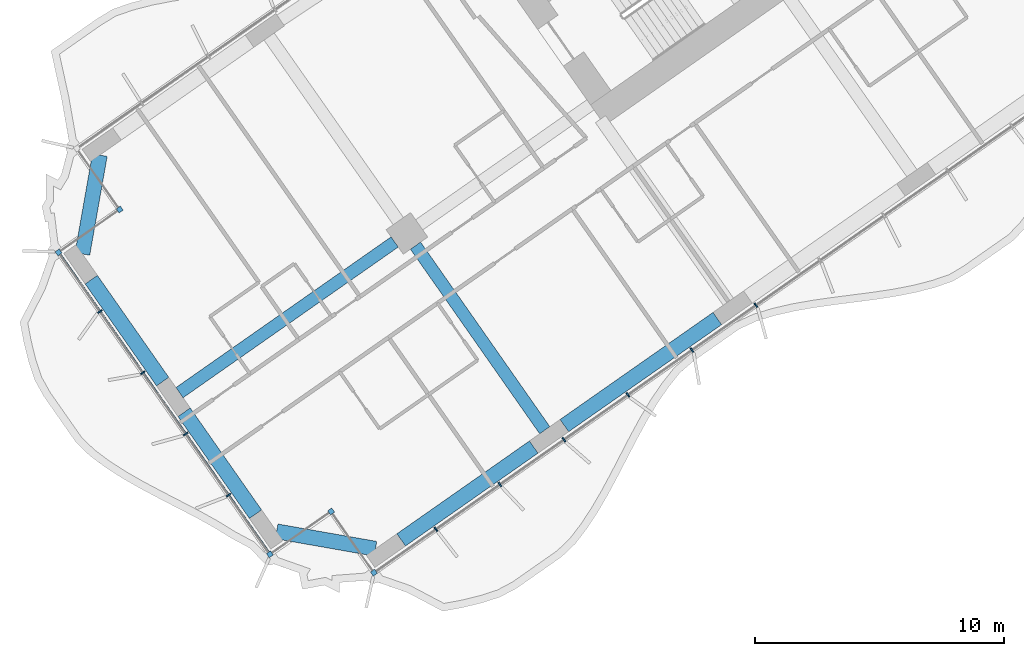
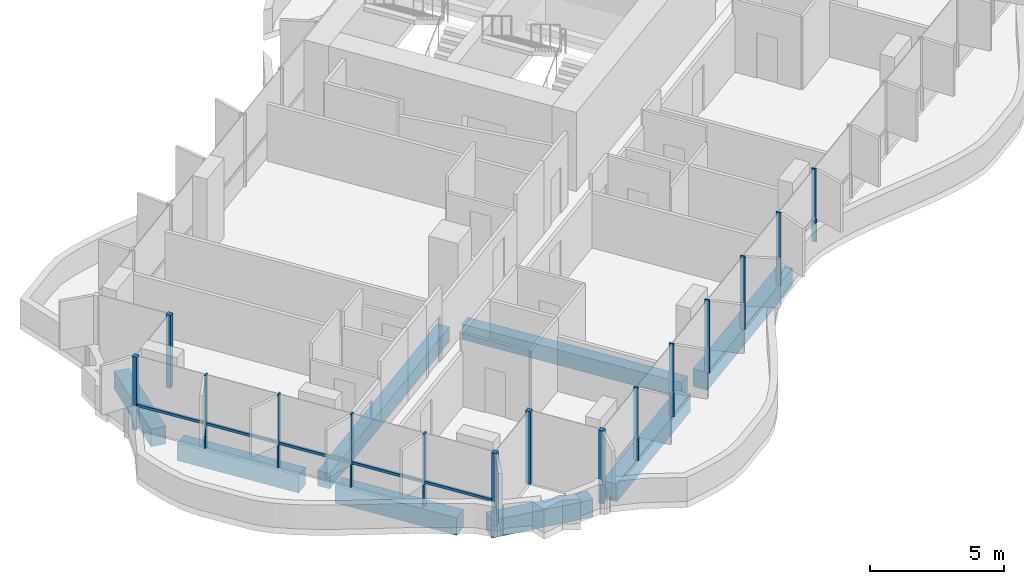
# One storey, part 2 of 23: 16 members, 8 beams, 1 element without a shape of its own.
"""IFC4 building model written with IfcOpenShell, lengths in metres."""

from ifc_helpers import new_model, si_unit, direction, frame, origin, origin_2d, place, context, subcontext, project, spatial, rectangle, extrude, material, material_profile, profile_set, type_object, element, aggregate, save


model = new_model("IFC4")

# Units and contexts
model_context = context("Model", 3, precision=1e-05, world=origin(), true_north=direction((0.0, 1.0)))
body_context = subcontext(model_context, "Body", "Model", "MODEL_VIEW")
ifc_project = project(units=[si_unit("LENGTHUNIT", "METRE"), si_unit("AREAUNIT", "SQUARE_METRE"), si_unit("VOLUMEUNIT", "CUBIC_METRE"), si_unit("PLANEANGLEUNIT", "RADIAN"), si_unit("MASSUNIT", "GRAM", prefix="KILO")], contexts=[model_context])

# Site, building, storey
site_placement = place(None, origin())
site = spatial("IfcSite", under=ifc_project, at=site_placement, CompositionType="ELEMENT")
building_placement = place(site_placement, origin())
building = spatial("IfcBuilding", under=site, at=building_placement, Name="Tel Ilan Convention Tower", CompositionType="ELEMENT")
storey_placement = place(building_placement, frame((0.0, 0.0, 86.89990234375)))
storey = spatial("IfcBuildingStorey", under=building, at=storey_placement, Name="L17", CompositionType="ELEMENT", Elevation=86.89990234375)

# Beams
ifc_material_1 = material(Name="Concrete C40/50", Category="concrete")
ifc_material_profile_1 = material_profile(ifc_material_1, rectangle(XDim=0.5, YDim=0.699951171875, at=origin_2d()), Name="RC 500x700")
ifc_profile_set_1 = profile_set([ifc_material_profile_1], Name="Concrete C40/50")
beam_type_1 = type_object("IfcBeamType", Name="Beam RC 500x700 Concrete C40/50", PredefinedType="BEAM", material=ifc_profile_set_1)
beam_1_placement = place(storey_placement, frame((-29.98095703125, -20.992919921875, -0.6298828125), z_axis=(-0.819151461915, -0.573577268067, 0.0), x_axis=(0.573577268067, -0.819151461915, 0.0)))
element("IfcBeam", 1, at=beam_1_placement, inside=storey, type_object=beam_type_1, Name="L17 beam W-W-M4-end", PredefinedType="BEAM", context=body_context, shape_type="SweptSolid", body=[
    extrude(rectangle(XDim=0.5, YDim=0.699951171875, at=origin_2d()), origin(), (0.0, 0.0, 1.0), 10.550048828125),
])
beam_2_placement = place(storey_placement, frame((-29.145263671875, -21.14013671875, -0.6298828125), z_axis=(0.573549245583, -0.819171082798, 0.0), x_axis=(0.819171082798, 0.573549245583, 0.0)))
element("IfcBeam", 2, at=beam_2_placement, inside=storey, type_object=beam_type_1, Name="L17 beam W-W-M4-W-F4", PredefinedType="BEAM", context=body_context, shape_type="SweptSolid", body=[
    extrude(rectangle(XDim=0.5, YDim=0.699951171875, at=origin_2d()), origin(), (0.0, 0.0, 1.0), 9.050048828125),
])
ifc_material_2 = material(Name="Concrete C40/50", Category="concrete")
ifc_material_profile_2 = material_profile(ifc_material_2, rectangle(XDim=0.60009765625, YDim=0.800048828125, at=origin_2d()), Name="RC 600x800")
ifc_profile_set_2 = profile_set([ifc_material_profile_2], Name="Concrete C40/50")
beam_type_2 = type_object("IfcBeamType", Name="Beam RC 600x800 Concrete C40/50", PredefinedType="BEAM", material=ifc_profile_set_2)
beam_3_placement = place(storey_placement, frame((-17.0244140625, -24.0673828125, -0.679931640625), z_axis=(-0.81915238829, -0.573575945067, 0.0), x_axis=(0.573575945067, -0.81915238829, 0.0)))
element("IfcBeam", 3, at=beam_3_placement, inside=storey, type_object=beam_type_2, Name="L17 beam W-W-F3-W-F4", PredefinedType="BEAM", context=body_context, shape_type="SweptSolid", body=[
    extrude(rectangle(XDim=0.60009765625, YDim=0.800048828125, at=origin_2d()), origin(), (0.0, 0.0, 1.0), 7.5),
])
beam_4_placement = place(storey_placement, frame((-24.396728515625, -29.2294921875, -0.679931640625), z_axis=(-0.819148977158, -0.573580816643, 0.0), x_axis=(0.573580816643, -0.819148977158, 0.0)))
element("IfcBeam", 4, at=beam_4_placement, inside=storey, type_object=beam_type_2, Name="L17 beam W-W-F4-W-FC", PredefinedType="BEAM", context=body_context, shape_type="SweptSolid", body=[
    extrude(rectangle(XDim=0.60009765625, YDim=0.800048828125, at=origin_2d()), origin(), (0.0, 0.0, 1.0), 6.5),
])
beam_5_placement = place(storey_placement, frame((-30.75341796875, -33.314208984375, -0.679931640625), z_axis=(-0.984815252405, 0.173605641124, 0.0), x_axis=(-0.173605641124, -0.984815252405, 0.0)))
element("IfcBeam", 5, at=beam_5_placement, inside=storey, type_object=beam_type_2, Name="L17 beam W-W-FC-W-E1", PredefinedType="BEAM", context=body_context, shape_type="SweptSolid", body=[
    extrude(rectangle(XDim=0.60009765625, YDim=0.800048828125, at=origin_2d()), origin(), (0.0, 0.0, 1.0), 4.030517578125),
])
for number, where, z_axis, x_axis, name in (
    (6, (-35.57080078125, -31.92626953125, -0.679931640625), (-0.573586866468, 0.819144740944, 0.0), (-0.819144740944, -0.573586866468, 0.0), "L17 beam W-W-E1-W-E2"),
    (7, (-39.298828125, -26.601806640625, -0.679931640625), (-0.573586866468, 0.819144740944, 0.0), (-0.819144740944, -0.573586866468, 0.0), "L17 beam W-W-E2-W-E3"),
):
    element("IfcBeam", number, at=place(storey_placement, frame(where, z_axis=z_axis, x_axis=x_axis)), inside=storey, type_object=beam_type_2, Name=name, PredefinedType="BEAM", context=body_context, shape_type="SweptSolid", body=[
        extrude(rectangle(XDim=0.60009765625, YDim=0.800048828125, at=origin_2d()), origin(), (0.0, 0.0, 1.0), 5.0),
    ])
beam_6_placement = place(storey_placement, frame((-42.523193359375, -21.473876953125, -0.679931640625), z_axis=(0.173605641124, 0.984815252405, 0.0), x_axis=(-0.984815252405, 0.173605641124, 0.0)))
element("IfcBeam", 8, at=beam_6_placement, inside=storey, type_object=beam_type_2, Name="L17 beam W-W-E3-W-BC", PredefinedType="BEAM", context=body_context, shape_type="SweptSolid", body=[
    extrude(rectangle(XDim=0.60009765625, YDim=0.800048828125, at=origin_2d()), origin(), (0.0, 0.0, 1.0), 4.030517578125),
])

# Curtain wall, members
ifc_material_3 = material(Name="Aluminium, bronze anodised", Category="aluminium")
curtain_wall_type = type_object("IfcCurtainWallType", Name="CW1 UNITISED CURTAIN WALL, HOTEL TINTED GLASS", PredefinedType="NOTDEFINED", material=ifc_material_3)
curtain_wall_placement = place(storey_placement, origin())
curtain_wall = element("IfcCurtainWall", 9, at=curtain_wall_placement, inside=storey, type_object=curtain_wall_type, Name="Curtain wall CW1-15.02", PredefinedType="NOTDEFINED")
ifc_material_4 = material(Name="Aluminium, bronze anodised", Category="aluminium")
ifc_material_profile_3 = material_profile(ifc_material_4, rectangle(XDim=0.199951171875, YDim=0.199951171875, at=origin_2d()), Name="CW CORNER MULLION 200x200")
ifc_profile_set_3 = profile_set([ifc_material_profile_3], Name="Aluminium, bronze anodised")
member_type_1 = type_object("IfcMemberType", Name="CW CORNER MULLION 200x200", PredefinedType="MULLION", material=ifc_profile_set_3)
member_1_placement = place(storey_placement, frame((-41.0244140625, -19.69189453125, 0.0), z_axis=(0.0, 0.0, 1.0), x_axis=(0.573576436351, -0.819152044289, 0.0)))
member_1 = element("IfcMember", 10, at=member_1_placement, type_object=member_type_1, Name="Corner mullion", PredefinedType="MULLION", context=body_context, shape_type="SweptSolid", body=[
    extrude(rectangle(XDim=0.199951171875, YDim=0.199951171875, at=origin_2d()), origin(), (0.0, 0.0, 1.0), 3.320068359375),
])
member_2_placement = place(storey_placement, frame((-43.48193359375, -21.41259765625, 0.0), z_axis=(0.0, 0.0, 1.0), x_axis=(-0.819152044289, -0.573576436351, 0.0)))
member_2 = element("IfcMember", 11, at=member_2_placement, type_object=member_type_1, Name="Corner mullion", PredefinedType="MULLION", context=body_context, shape_type="SweptSolid", body=[
    extrude(rectangle(XDim=0.199951171875, YDim=0.199951171875, at=origin_2d()), origin(), (0.0, 0.0, 1.0), 3.320068359375),
])
member_3_placement = place(storey_placement, frame((-34.992919921875, -33.5361328125, 0.0), z_axis=(0.0, 0.0, 1.0), x_axis=(0.573576436351, -0.819152044289, 0.0)))
member_3 = element("IfcMember", 12, at=member_3_placement, type_object=member_type_1, Name="Corner mullion", PredefinedType="MULLION", context=body_context, shape_type="SweptSolid", body=[
    extrude(rectangle(XDim=0.199951171875, YDim=0.199951171875, at=origin_2d()), origin(), (0.0, 0.0, 1.0), 3.320068359375),
])
member_4_placement = place(storey_placement, frame((-32.535400390625, -31.815185546875, 0.0), z_axis=(0.0, 0.0, 1.0), x_axis=(0.819152044289, 0.573576436351, 0.0)))
member_4 = element("IfcMember", 13, at=member_4_placement, type_object=member_type_1, Name="Corner mullion", PredefinedType="MULLION", context=body_context, shape_type="SweptSolid", body=[
    extrude(rectangle(XDim=0.199951171875, YDim=0.199951171875, at=origin_2d()), origin(), (0.0, 0.0, 1.0), 3.320068359375),
])
member_5_placement = place(storey_placement, frame((-30.814697265625, -34.272705078125, 0.0), z_axis=(0.0, 0.0, 1.0), x_axis=(0.573576436351, -0.819152044289, 0.0)))
member_5 = element("IfcMember", 14, at=member_5_placement, type_object=member_type_1, Name="Corner mullion", PredefinedType="MULLION", context=body_context, shape_type="SweptSolid", body=[
    extrude(rectangle(XDim=0.199951171875, YDim=0.199951171875, at=origin_2d()), origin(), (0.0, 0.0, 1.0), 3.320068359375),
])
ifc_material_5 = material(Name="Aluminium, bronze anodised", Category="aluminium")
ifc_material_profile_4 = material_profile(ifc_material_5, rectangle(XDim=0.06005859375, YDim=0.199951171875, at=origin_2d()), Name="CW MULLION 60x200")
ifc_profile_set_4 = profile_set([ifc_material_profile_4], Name="Aluminium, bronze anodised")
member_type_2 = type_object("IfcMemberType", Name="CW MULLION 60x200", PredefinedType="MULLION", material=ifc_profile_set_4)
member_6_placement = place(storey_placement, frame((-41.818359375, -23.7880859375, 0.0), z_axis=(0.0, 0.0, 1.0), x_axis=(0.573576436351, -0.819152044289, 0.0)))
member_6 = element("IfcMember", 15, at=member_6_placement, type_object=member_type_2, Name="Mullion", PredefinedType="MULLION", context=body_context, shape_type="SweptSolid", body=[
    extrude(rectangle(XDim=0.06005859375, YDim=0.199951171875, at=origin_2d()), origin(), (0.0, 0.0, 1.0), 3.320068359375),
])
member_7_placement = place(storey_placement, frame((-40.09765625, -26.24560546875, 0.0), z_axis=(0.0, 0.0, 1.0), x_axis=(0.573576436351, -0.819152044289, 0.0)))
member_7 = element("IfcMember", 16, at=member_7_placement, type_object=member_type_2, Name="Mullion", PredefinedType="MULLION", context=body_context, shape_type="SweptSolid", body=[
    extrude(rectangle(XDim=0.06005859375, YDim=0.199951171875, at=origin_2d()), origin(), (0.0, 0.0, 1.0), 3.320068359375),
])
member_8_placement = place(storey_placement, frame((-38.376953125, -28.703125, 0.0), z_axis=(0.0, 0.0, 1.0), x_axis=(0.573576436351, -0.819152044289, 0.0)))
member_8 = element("IfcMember", 17, at=member_8_placement, type_object=member_type_2, Name="Mullion", PredefinedType="MULLION", context=body_context, shape_type="SweptSolid", body=[
    extrude(rectangle(XDim=0.06005859375, YDim=0.199951171875, at=origin_2d()), origin(), (0.0, 0.0, 1.0), 3.320068359375),
])
member_9_placement = place(storey_placement, frame((-36.65625, -31.160400390625, 0.0), z_axis=(0.0, 0.0, 1.0), x_axis=(0.573576436351, -0.819152044289, 0.0)))
member_9 = element("IfcMember", 18, at=member_9_placement, type_object=member_type_2, Name="Mullion", PredefinedType="MULLION", context=body_context, shape_type="SweptSolid", body=[
    extrude(rectangle(XDim=0.06005859375, YDim=0.199951171875, at=origin_2d()), origin(), (0.0, 0.0, 1.0), 3.320068359375),
])
member_10_placement = place(storey_placement, frame((-28.32666015625, -32.530517578125, 0.0), z_axis=(0.0, 0.0, 1.0), x_axis=(0.819152044289, 0.573576436351, 0.0)))
member_10 = element("IfcMember", 19, at=member_10_placement, type_object=member_type_2, Name="Mullion", PredefinedType="MULLION", context=body_context, shape_type="SweptSolid", body=[
    extrude(rectangle(XDim=0.06005859375, YDim=0.199951171875, at=origin_2d()), origin(), (0.0, 0.0, 1.0), 3.320068359375),
])
member_11_placement = place(storey_placement, frame((-25.7568359375, -30.731201171875, 0.0), z_axis=(0.0, 0.0, 1.0), x_axis=(0.819152044289, 0.573576436351, 0.0)))
member_11 = element("IfcMember", 20, at=member_11_placement, type_object=member_type_2, Name="Mullion", PredefinedType="MULLION", context=body_context, shape_type="SweptSolid", body=[
    extrude(rectangle(XDim=0.06005859375, YDim=0.199951171875, at=origin_2d()), origin(), (0.0, 0.0, 1.0), 3.320068359375),
])
member_12_placement = place(storey_placement, frame((-23.186767578125, -28.931640625, 0.0), z_axis=(0.0, 0.0, 1.0), x_axis=(0.819152044289, 0.573576436351, 0.0)))
member_12 = element("IfcMember", 21, at=member_12_placement, type_object=member_type_2, Name="Mullion", PredefinedType="MULLION", context=body_context, shape_type="SweptSolid", body=[
    extrude(rectangle(XDim=0.06005859375, YDim=0.199951171875, at=origin_2d()), origin(), (0.0, 0.0, 1.0), 3.320068359375),
])
member_13_placement = place(storey_placement, frame((-20.616943359375, -27.132080078125, 0.0), z_axis=(0.0, 0.0, 1.0), x_axis=(0.819152044289, 0.573576436351, 0.0)))
member_13 = element("IfcMember", 22, at=member_13_placement, type_object=member_type_2, Name="Mullion", PredefinedType="MULLION", context=body_context, shape_type="SweptSolid", body=[
    extrude(rectangle(XDim=0.06005859375, YDim=0.199951171875, at=origin_2d()), origin(), (0.0, 0.0, 1.0), 3.320068359375),
])
member_14_placement = place(storey_placement, frame((-18.046875, -25.332763671875, 0.0), z_axis=(0.0, 0.0, 1.0), x_axis=(0.819152044289, 0.573576436351, 0.0)))
member_14 = element("IfcMember", 23, at=member_14_placement, type_object=member_type_2, Name="Mullion", PredefinedType="MULLION", context=body_context, shape_type="SweptSolid", body=[
    extrude(rectangle(XDim=0.06005859375, YDim=0.199951171875, at=origin_2d()), origin(), (0.0, 0.0, 1.0), 3.320068359375),
])
member_15_placement = place(storey_placement, frame((-15.47705078125, -23.533203125, 0.0), z_axis=(0.0, 0.0, 1.0), x_axis=(0.819152044289, 0.573576436351, 0.0)))
member_15 = element("IfcMember", 24, at=member_15_placement, type_object=member_type_2, Name="Mullion", PredefinedType="MULLION", context=body_context, shape_type="SweptSolid", body=[
    extrude(rectangle(XDim=0.06005859375, YDim=0.199951171875, at=origin_2d()), origin(), (0.0, 0.0, 1.0), 3.320068359375),
])
ifc_material_6 = material(Name="Aluminium, bronze anodised", Category="aluminium")
ifc_material_profile_5 = material_profile(ifc_material_6, rectangle(XDim=0.10009765625, YDim=0.1201171875, at=origin_2d()), Name="CW TRANSOM 100x120")
ifc_profile_set_5 = profile_set([ifc_material_profile_5], Name="Aluminium, bronze anodised")
member_type_3 = type_object("IfcMemberType", Name="CW TRANSOM 100x120", PredefinedType="USERDEFINED", material=ifc_profile_set_5)
member_16_placement = place(storey_placement, frame((-43.424560546875, -21.494384765625, 1.10009765625), z_axis=(0.573575688231, -0.819152568128, 0.0), x_axis=(0.819152568128, 0.573575688231, 0.0)))
member_16 = element("IfcMember", 25, at=member_16_placement, type_object=member_type_3, Name="Transom", ObjectType="TRANSOM", PredefinedType="USERDEFINED", context=body_context, shape_type="SweptSolid", body=[
    extrude(rectangle(XDim=0.10009765625, YDim=0.1201171875, at=origin_2d()), origin(), (0.0, 0.0, 1.0), 14.60009765625),
])
aggregate(curtain_wall, [member_1, member_2, member_6, member_7, member_8, member_9, member_3, member_16, member_4, member_5, member_10, member_11, member_12, member_13, member_14, member_15])

save(model, "model.ifc")
